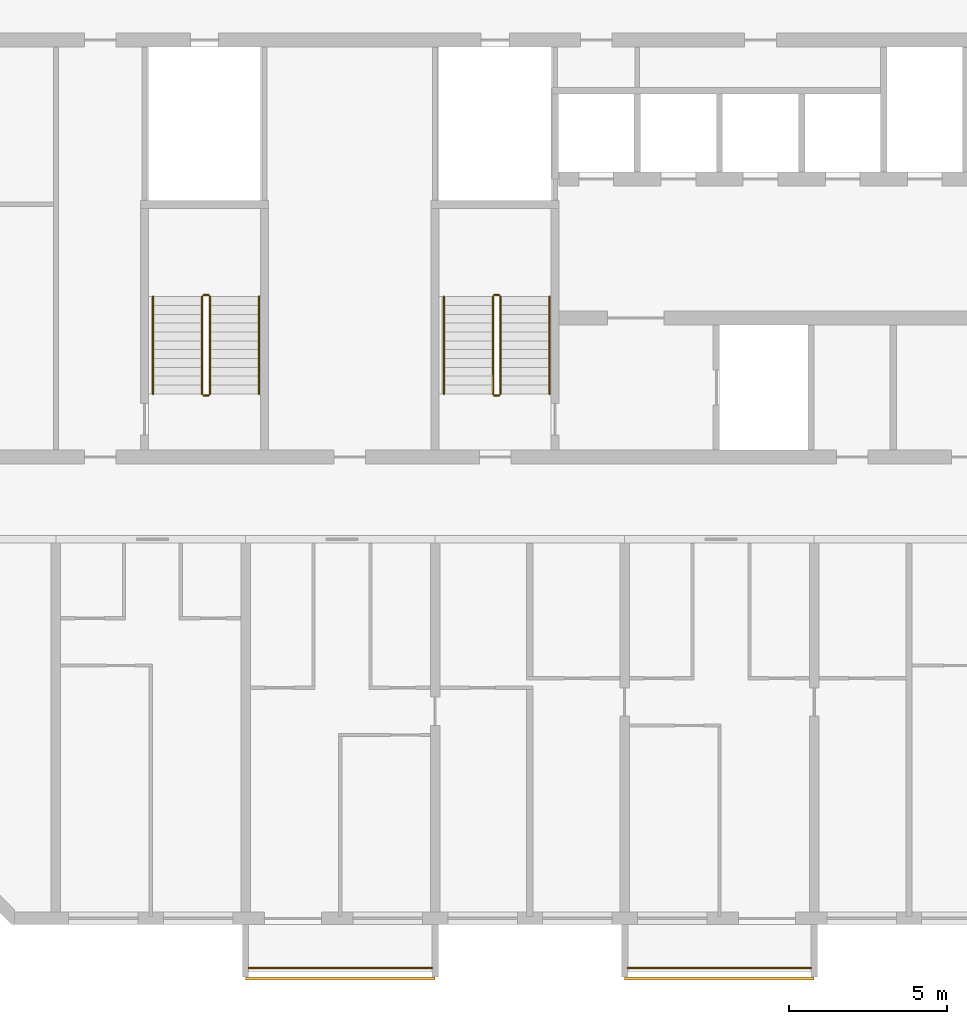
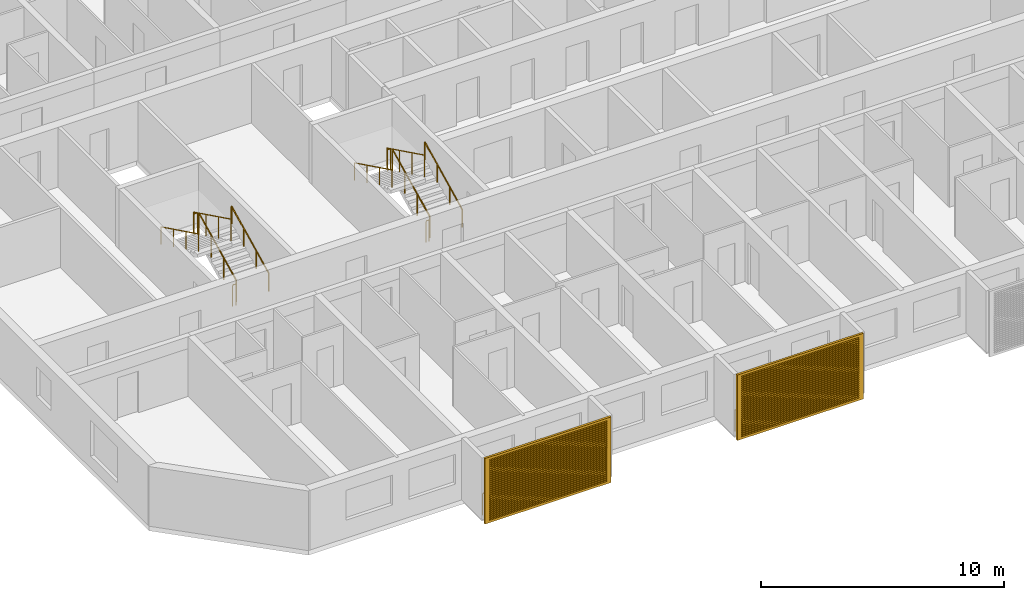
# One storey, part 14 of 32: 14 railings, 2 shading devices.
"""IFC4 building model written with IfcOpenShell, lengths in metres."""

from ifc_helpers import new_model, si_unit, direction, frame, origin, origin_2d, place, context, subcontext, project, spatial, polyline, circle, outline, extrude, source, transform, mapped, material, material_profile, profile_set, type_object, element, save


model = new_model("IFC4")

# Units and contexts
model_context = context("Model", 3, precision=1e-05, world=origin(), true_north=direction((0.0, 1.0)))
body_context = subcontext(model_context, "Body", "Model", "MODEL_VIEW")
ifc_project = project(units=[si_unit("LENGTHUNIT", "METRE"), si_unit("AREAUNIT", "SQUARE_METRE"), si_unit("VOLUMEUNIT", "CUBIC_METRE"), si_unit("PLANEANGLEUNIT", "RADIAN"), si_unit("MASSUNIT", "GRAM", prefix="KILO")], contexts=[model_context])

# Site, building, storey
site_placement = place(None, origin())
site = spatial("IfcSite", under=ifc_project, at=site_placement, CompositionType="ELEMENT")
building_placement = place(site_placement, origin())
building = spatial("IfcBuilding", under=site, at=building_placement, Name="Poui Terraces", CompositionType="ELEMENT")
storey_placement = place(building_placement, frame((0.0, 0.0, 155.39990234375)))
storey = spatial("IfcBuildingStorey", under=building, at=storey_placement, Name="L43", CompositionType="ELEMENT", Elevation=155.39990234375)

# Railings
ifc_material_1 = material(Name="Painted steel fretwork", Category="steel")
railing_type_1 = type_object("IfcRailingType", Name="BALCONY GUARD 1100", PredefinedType="GUARDRAIL", material=ifc_material_1)
for number, where, name in (
    (1, (24.10009765625, -1.570068359375, 0.0), "BALCONY GUARD"),
    (2, (36.10009765625, -1.570068359375, 0.0), "BALCONY GUARD"),
):
    element("IfcRailing", number, at=place(storey_placement, frame(where)), inside=storey, type_object=railing_type_1, Name=name, PredefinedType="GUARDRAIL", context=body_context, shape_type="SweptSolid", body=[
        extrude(circle(Radius=0.02392578125, at=origin_2d()), frame((0.0, 0.0, 1.076171875), z_axis=(1.0, 0.0, 0.0), x_axis=(0.0, 1.0, 0.0)), (0.0, 0.0, 1.0), 5.7998046875),
        extrude(circle(Radius=0.02099609375, at=origin_2d()), origin(), (0.0, 0.0, 1.0), 1.052001953125),
        extrude(circle(Radius=0.02099609375, at=origin_2d()), frame((0.966552734375, 0.0, 0.0)), (0.0, 0.0, 1.0), 1.052001953125),
        extrude(circle(Radius=0.02099609375, at=origin_2d()), frame((1.933349609375, 0.0, 0.0)), (0.0, 0.0, 1.0), 1.052001953125),
        extrude(circle(Radius=0.02099609375, at=origin_2d()), frame((2.89990234375, 0.0, 0.0)), (0.0, 0.0, 1.0), 1.052001953125),
        extrude(circle(Radius=0.02099609375, at=origin_2d()), frame((3.866455078125, 0.0, 0.0)), (0.0, 0.0, 1.0), 1.052001953125),
        extrude(circle(Radius=0.02099609375, at=origin_2d()), frame((4.833251953125, 0.0, 0.0)), (0.0, 0.0, 1.0), 1.052001953125),
        extrude(circle(Radius=0.02099609375, at=origin_2d()), frame((5.7998046875, 0.0, 0.0)), (0.0, 0.0, 1.0), 1.052001953125),
    ])
ifc_material_2 = material(Name="Galvanised steel balustrade", Category="steel")
railing_type_2 = type_object("IfcRailingType", Name="STAIR GUARD 1100", PredefinedType="GUARDRAIL", material=ifc_material_2)
railing_1_placement = place(storey_placement, frame((32.074951171875, 16.60009765625, 0.1376953125)))
element("IfcRailing", 3, at=railing_1_placement, inside=storey, type_object=railing_type_2, Name="L43 ST-CW stair guard 1", PredefinedType="GUARDRAIL", context=body_context, shape_type="SweptSolid", body=[
    extrude(circle(Radius=0.02392578125, at=origin_2d()), frame((0.0, 0.0, 1.076171875), z_axis=(0.0, 0.897606190399, 0.440798283751), x_axis=(-1.0, 0.0, 0.0)), (0.0, 0.0, 1.0), 3.43115234375),
    extrude(circle(Radius=0.02099609375, at=origin_2d()), origin(), (0.0, 0.0, 1.0), 1.052001953125),
    extrude(circle(Radius=0.02099609375, at=origin_2d()), frame((0.0, 1.026611328125, 0.504150390625)), (0.0, 0.0, 1.0), 1.052001953125),
    extrude(circle(Radius=0.02099609375, at=origin_2d()), frame((0.0, 2.05322265625, 1.00830078125)), (0.0, 0.0, 1.0), 1.052001953125),
    extrude(circle(Radius=0.02099609375, at=origin_2d()), frame((0.0, 3.079833984375, 1.512451171875)), (0.0, 0.0, 1.0), 1.052001953125),
])
railing_2_placement = place(storey_placement, frame((32.02490234375, 19.72998046875, 1.650146484375)))
element("IfcRailing", 4, at=railing_2_placement, inside=storey, type_object=railing_type_2, Name="L43 ST-CW stair guard 2", PredefinedType="GUARDRAIL", context=body_context, shape_type="SweptSolid", body=[
    extrude(circle(Radius=0.02392578125, at=origin_2d()), frame((0.0, 0.0, 1.076171875), z_axis=(-1.0, 0.0, 0.0), x_axis=(0.0, -1.0, 0.0)), (0.0, 0.0, 1.0), 0.14990234375),
    extrude(circle(Radius=0.02099609375, at=origin_2d()), origin(), (0.0, 0.0, 1.0), 1.052001953125),
    extrude(circle(Radius=0.02099609375, at=origin_2d()), frame((-0.14990234375, 0.0, 0.0)), (0.0, 0.0, 1.0), 1.052001953125),
])
railing_3_placement = place(storey_placement, frame((31.824951171875, 19.679931640625, 1.78759765625)))
element("IfcRailing", 5, at=railing_3_placement, inside=storey, type_object=railing_type_2, Name="L43 ST-CW stair guard 3", PredefinedType="GUARDRAIL", context=body_context, shape_type="SweptSolid", body=[
    extrude(circle(Radius=0.02392578125, at=origin_2d()), frame((0.0, 0.0, 1.076171875), z_axis=(0.0, -0.897606190399, 0.440798283751), x_axis=(1.0, 0.0, 0.0)), (0.0, 0.0, 1.0), 3.43115234375),
    extrude(circle(Radius=0.02099609375, at=origin_2d()), origin(), (0.0, 0.0, 1.0), 1.052001953125),
    extrude(circle(Radius=0.02099609375, at=origin_2d()), frame((0.0, -1.026611328125, 0.504150390625)), (0.0, 0.0, 1.0), 1.052001953125),
    extrude(circle(Radius=0.02099609375, at=origin_2d()), frame((0.0, -2.05322265625, 1.00830078125)), (0.0, 0.0, 1.0), 1.052001953125),
    extrude(circle(Radius=0.02099609375, at=origin_2d()), frame((0.0, -3.079833984375, 1.512451171875)), (0.0, 0.0, 1.0), 1.052001953125),
])
railing_4_placement = place(storey_placement, frame((32.02490234375, 16.550048828125, 0.0)))
element("IfcRailing", 6, at=railing_4_placement, inside=storey, type_object=railing_type_2, Name="L43 ST-CW stair guard 4", PredefinedType="GUARDRAIL", context=body_context, shape_type="SweptSolid", body=[
    extrude(circle(Radius=0.02392578125, at=origin_2d()), frame((0.0, 0.0, 1.076171875), z_axis=(-1.0, 0.0, 0.0), x_axis=(0.0, -1.0, 0.0)), (0.0, 0.0, 1.0), 0.14990234375),
    extrude(circle(Radius=0.02099609375, at=origin_2d()), origin(), (0.0, 0.0, 1.0), 1.052001953125),
    extrude(circle(Radius=0.02099609375, at=origin_2d()), frame((-0.14990234375, 0.0, 0.0)), (0.0, 0.0, 1.0), 1.052001953125),
])
railing_5_placement = place(storey_placement, frame((22.875, 16.60009765625, 0.1376953125)))
element("IfcRailing", 7, at=railing_5_placement, inside=storey, type_object=railing_type_2, Name="L43 ST-W stair guard 1", PredefinedType="GUARDRAIL", context=body_context, shape_type="SweptSolid", body=[
    extrude(circle(Radius=0.02392578125, at=origin_2d()), frame((0.0, 0.0, 1.076171875), z_axis=(0.0, 0.897606190399, 0.440798283751), x_axis=(-1.0, 0.0, 0.0)), (0.0, 0.0, 1.0), 3.43115234375),
    extrude(circle(Radius=0.02099609375, at=origin_2d()), origin(), (0.0, 0.0, 1.0), 1.052001953125),
    extrude(circle(Radius=0.02099609375, at=origin_2d()), frame((0.0, 1.026611328125, 0.504150390625)), (0.0, 0.0, 1.0), 1.052001953125),
    extrude(circle(Radius=0.02099609375, at=origin_2d()), frame((0.0, 2.05322265625, 1.00830078125)), (0.0, 0.0, 1.0), 1.052001953125),
    extrude(circle(Radius=0.02099609375, at=origin_2d()), frame((0.0, 3.079833984375, 1.512451171875)), (0.0, 0.0, 1.0), 1.052001953125),
])
railing_6_placement = place(storey_placement, frame((22.824951171875, 19.72998046875, 1.650146484375)))
element("IfcRailing", 8, at=railing_6_placement, inside=storey, type_object=railing_type_2, Name="L43 ST-W stair guard 2", PredefinedType="GUARDRAIL", context=body_context, shape_type="SweptSolid", body=[
    extrude(circle(Radius=0.02392578125, at=origin_2d()), frame((0.0, 0.0, 1.076171875), z_axis=(-1.0, 0.0, 0.0), x_axis=(0.0, -1.0, 0.0)), (0.0, 0.0, 1.0), 0.14990234375),
    extrude(circle(Radius=0.02099609375, at=origin_2d()), origin(), (0.0, 0.0, 1.0), 1.052001953125),
    extrude(circle(Radius=0.02099609375, at=origin_2d()), frame((-0.14990234375, 0.0, 0.0)), (0.0, 0.0, 1.0), 1.052001953125),
])
railing_7_placement = place(storey_placement, frame((22.625, 19.679931640625, 1.78759765625)))
element("IfcRailing", 9, at=railing_7_placement, inside=storey, type_object=railing_type_2, Name="L43 ST-W stair guard 3", PredefinedType="GUARDRAIL", context=body_context, shape_type="SweptSolid", body=[
    extrude(circle(Radius=0.02392578125, at=origin_2d()), frame((0.0, 0.0, 1.076171875), z_axis=(0.0, -0.897606190399, 0.440798283751), x_axis=(1.0, 0.0, 0.0)), (0.0, 0.0, 1.0), 3.43115234375),
    extrude(circle(Radius=0.02099609375, at=origin_2d()), origin(), (0.0, 0.0, 1.0), 1.052001953125),
    extrude(circle(Radius=0.02099609375, at=origin_2d()), frame((0.0, -1.026611328125, 0.504150390625)), (0.0, 0.0, 1.0), 1.052001953125),
    extrude(circle(Radius=0.02099609375, at=origin_2d()), frame((0.0, -2.05322265625, 1.00830078125)), (0.0, 0.0, 1.0), 1.052001953125),
    extrude(circle(Radius=0.02099609375, at=origin_2d()), frame((0.0, -3.079833984375, 1.512451171875)), (0.0, 0.0, 1.0), 1.052001953125),
])
railing_8_placement = place(storey_placement, frame((22.824951171875, 16.550048828125, 0.0)))
element("IfcRailing", 10, at=railing_8_placement, inside=storey, type_object=railing_type_2, Name="L43 ST-W stair guard 4", PredefinedType="GUARDRAIL", context=body_context, shape_type="SweptSolid", body=[
    extrude(circle(Radius=0.02392578125, at=origin_2d()), frame((0.0, 0.0, 1.076171875), z_axis=(-1.0, 0.0, 0.0), x_axis=(0.0, -1.0, 0.0)), (0.0, 0.0, 1.0), 0.14990234375),
    extrude(circle(Radius=0.02099609375, at=origin_2d()), origin(), (0.0, 0.0, 1.0), 1.052001953125),
    extrude(circle(Radius=0.02099609375, at=origin_2d()), frame((-0.14990234375, 0.0, 0.0)), (0.0, 0.0, 1.0), 1.052001953125),
])
ifc_material_3 = material(Name="Stainless steel handrail", Category="steel")
railing_type_3 = type_object("IfcRailingType", Name="STAIR HANDRAIL 900", PredefinedType="HANDRAIL", material=ifc_material_3)
railing_9_placement = place(storey_placement, frame((33.625, 16.60009765625, 0.1376953125)))
element("IfcRailing", 11, at=railing_9_placement, inside=storey, type_object=railing_type_3, Name="L43 ST-CW stair handrail 1", PredefinedType="HANDRAIL", context=body_context, shape_type="SweptSolid", body=[
    extrude(circle(Radius=0.02392578125, at=origin_2d()), frame((0.0, 0.0, 0.8759765625), z_axis=(0.0, 0.897606190399, 0.440798283751), x_axis=(-1.0, 0.0, 0.0)), (0.0, 0.0, 1.0), 3.43115234375),
    extrude(circle(Radius=0.02099609375, at=origin_2d()), origin(), (0.0, 0.0, 1.0), 0.851806640625),
    extrude(circle(Radius=0.02099609375, at=origin_2d()), frame((0.0, 1.026611328125, 0.504150390625)), (0.0, 0.0, 1.0), 0.851806640625),
    extrude(circle(Radius=0.02099609375, at=origin_2d()), frame((0.0, 2.05322265625, 1.00830078125)), (0.0, 0.0, 1.0), 0.851806640625),
    extrude(circle(Radius=0.02099609375, at=origin_2d()), frame((0.0, 3.079833984375, 1.512451171875)), (0.0, 0.0, 1.0), 0.851806640625),
])
railing_10_placement = place(storey_placement, frame((30.27490234375, 19.679931640625, 1.78759765625)))
element("IfcRailing", 12, at=railing_10_placement, inside=storey, type_object=railing_type_3, Name="L43 ST-CW stair handrail 2", PredefinedType="HANDRAIL", context=body_context, shape_type="SweptSolid", body=[
    extrude(circle(Radius=0.02392578125, at=origin_2d()), frame((0.0, 0.0, 0.8759765625), z_axis=(0.0, -0.897606190399, 0.440798283751), x_axis=(1.0, 0.0, 0.0)), (0.0, 0.0, 1.0), 3.43115234375),
    extrude(circle(Radius=0.02099609375, at=origin_2d()), origin(), (0.0, 0.0, 1.0), 0.851806640625),
    extrude(circle(Radius=0.02099609375, at=origin_2d()), frame((0.0, -1.026611328125, 0.504150390625)), (0.0, 0.0, 1.0), 0.851806640625),
    extrude(circle(Radius=0.02099609375, at=origin_2d()), frame((0.0, -2.05322265625, 1.00830078125)), (0.0, 0.0, 1.0), 0.851806640625),
    extrude(circle(Radius=0.02099609375, at=origin_2d()), frame((0.0, -3.079833984375, 1.512451171875)), (0.0, 0.0, 1.0), 0.851806640625),
])
railing_11_placement = place(storey_placement, frame((24.425048828125, 16.60009765625, 0.1376953125)))
element("IfcRailing", 13, at=railing_11_placement, inside=storey, type_object=railing_type_3, Name="L43 ST-W stair handrail 1", PredefinedType="HANDRAIL", context=body_context, shape_type="SweptSolid", body=[
    extrude(circle(Radius=0.02392578125, at=origin_2d()), frame((0.0, 0.0, 0.8759765625), z_axis=(0.0, 0.897606190399, 0.440798283751), x_axis=(-1.0, 0.0, 0.0)), (0.0, 0.0, 1.0), 3.43115234375),
    extrude(circle(Radius=0.02099609375, at=origin_2d()), origin(), (0.0, 0.0, 1.0), 0.851806640625),
    extrude(circle(Radius=0.02099609375, at=origin_2d()), frame((0.0, 1.026611328125, 0.504150390625)), (0.0, 0.0, 1.0), 0.851806640625),
    extrude(circle(Radius=0.02099609375, at=origin_2d()), frame((0.0, 2.05322265625, 1.00830078125)), (0.0, 0.0, 1.0), 0.851806640625),
    extrude(circle(Radius=0.02099609375, at=origin_2d()), frame((0.0, 3.079833984375, 1.512451171875)), (0.0, 0.0, 1.0), 0.851806640625),
])
railing_12_placement = place(storey_placement, frame((21.074951171875, 19.679931640625, 1.78759765625)))
element("IfcRailing", 14, at=railing_12_placement, inside=storey, type_object=railing_type_3, Name="L43 ST-W stair handrail 2", PredefinedType="HANDRAIL", context=body_context, shape_type="SweptSolid", body=[
    extrude(circle(Radius=0.02392578125, at=origin_2d()), frame((0.0, 0.0, 0.8759765625), z_axis=(0.0, -0.897606190399, 0.440798283751), x_axis=(1.0, 0.0, 0.0)), (0.0, 0.0, 1.0), 3.43115234375),
    extrude(circle(Radius=0.02099609375, at=origin_2d()), origin(), (0.0, 0.0, 1.0), 0.851806640625),
    extrude(circle(Radius=0.02099609375, at=origin_2d()), frame((0.0, -1.026611328125, 0.504150390625)), (0.0, 0.0, 1.0), 0.851806640625),
    extrude(circle(Radius=0.02099609375, at=origin_2d()), frame((0.0, -2.05322265625, 1.00830078125)), (0.0, 0.0, 1.0), 0.851806640625),
    extrude(circle(Radius=0.02099609375, at=origin_2d()), frame((0.0, -3.079833984375, 1.512451171875)), (0.0, 0.0, 1.0), 0.851806640625),
])

# Shading devices
ifc_material_4 = material(Name="Aluminium louvre", Category="aluminium")
ifc_material_profile = material_profile(ifc_material_4, outline(polyline([(-3.0, -1.64990234375), (3.0, -1.64990234375), (3.0, 1.64990234375), (-3.0, 1.64990234375), (-3.0, -1.64990234375)]), holes=[polyline([(-2.800048828125, -1.530029296875), (2.800048828125, -1.530029296875), (2.800048828125, -1.469970703125), (-2.800048828125, -1.469970703125), (-2.800048828125, -1.530029296875)]), polyline([(-2.800048828125, -1.429931640625), (2.800048828125, -1.429931640625), (2.800048828125, -1.3701171875), (-2.800048828125, -1.3701171875), (-2.800048828125, -1.429931640625)]), polyline([(-2.800048828125, -1.330078125), (2.800048828125, -1.330078125), (2.800048828125, -1.27001953125), (-2.800048828125, -1.27001953125), (-2.800048828125, -1.330078125)]), polyline([(-2.800048828125, -1.22998046875), (2.800048828125, -1.22998046875), (2.800048828125, -1.169921875), (-2.800048828125, -1.169921875), (-2.800048828125, -1.22998046875)]), polyline([(-2.800048828125, -1.1298828125), (2.800048828125, -1.1298828125), (2.800048828125, -1.070068359375), (-2.800048828125, -1.070068359375), (-2.800048828125, -1.1298828125)]), polyline([(-2.800048828125, -1.030029296875), (2.800048828125, -1.030029296875), (2.800048828125, -0.969970703125), (-2.800048828125, -0.969970703125), (-2.800048828125, -1.030029296875)]), polyline([(-2.800048828125, -0.929931640625), (2.800048828125, -0.929931640625), (2.800048828125, -0.8701171875), (-2.800048828125, -0.8701171875), (-2.800048828125, -0.929931640625)]), polyline([(-2.800048828125, -0.830078125), (2.800048828125, -0.830078125), (2.800048828125, -0.77001953125), (-2.800048828125, -0.77001953125), (-2.800048828125, -0.830078125)]), polyline([(-2.800048828125, -0.72998046875), (2.800048828125, -0.72998046875), (2.800048828125, -0.669921875), (-2.800048828125, -0.669921875), (-2.800048828125, -0.72998046875)]), polyline([(-2.800048828125, -0.6298828125), (2.800048828125, -0.6298828125), (2.800048828125, -0.570068359375), (-2.800048828125, -0.570068359375), (-2.800048828125, -0.6298828125)]), polyline([(-2.800048828125, -0.530029296875), (2.800048828125, -0.530029296875), (2.800048828125, -0.469970703125), (-2.800048828125, -0.469970703125), (-2.800048828125, -0.530029296875)]), polyline([(-2.800048828125, -0.429931640625), (2.800048828125, -0.429931640625), (2.800048828125, -0.3701171875), (-2.800048828125, -0.3701171875), (-2.800048828125, -0.429931640625)]), polyline([(-2.800048828125, -0.330078125), (2.800048828125, -0.330078125), (2.800048828125, -0.27001953125), (-2.800048828125, -0.27001953125), (-2.800048828125, -0.330078125)]), polyline([(-2.800048828125, -0.22998046875), (2.800048828125, -0.22998046875), (2.800048828125, -0.169921875), (-2.800048828125, -0.169921875), (-2.800048828125, -0.22998046875)]), polyline([(-2.800048828125, -0.1298828125), (2.800048828125, -0.1298828125), (2.800048828125, -0.070068359375), (-2.800048828125, -0.070068359375), (-2.800048828125, -0.1298828125)]), polyline([(-2.800048828125, -0.030029296875), (2.800048828125, -0.030029296875), (2.800048828125, 0.030029296875), (-2.800048828125, 0.030029296875), (-2.800048828125, -0.030029296875)]), polyline([(-2.800048828125, 0.070068359375), (2.800048828125, 0.070068359375), (2.800048828125, 0.1298828125), (-2.800048828125, 0.1298828125), (-2.800048828125, 0.070068359375)]), polyline([(-2.800048828125, 0.169921875), (2.800048828125, 0.169921875), (2.800048828125, 0.22998046875), (-2.800048828125, 0.22998046875), (-2.800048828125, 0.169921875)]), polyline([(-2.800048828125, 0.27001953125), (2.800048828125, 0.27001953125), (2.800048828125, 0.330078125), (-2.800048828125, 0.330078125), (-2.800048828125, 0.27001953125)]), polyline([(-2.800048828125, 0.3701171875), (2.800048828125, 0.3701171875), (2.800048828125, 0.429931640625), (-2.800048828125, 0.429931640625), (-2.800048828125, 0.3701171875)]), polyline([(-2.800048828125, 0.469970703125), (2.800048828125, 0.469970703125), (2.800048828125, 0.530029296875), (-2.800048828125, 0.530029296875), (-2.800048828125, 0.469970703125)]), polyline([(-2.800048828125, 0.570068359375), (2.800048828125, 0.570068359375), (2.800048828125, 0.6298828125), (-2.800048828125, 0.6298828125), (-2.800048828125, 0.570068359375)]), polyline([(-2.800048828125, 0.669921875), (2.800048828125, 0.669921875), (2.800048828125, 0.72998046875), (-2.800048828125, 0.72998046875), (-2.800048828125, 0.669921875)]), polyline([(-2.800048828125, 0.77001953125), (2.800048828125, 0.77001953125), (2.800048828125, 0.830078125), (-2.800048828125, 0.830078125), (-2.800048828125, 0.77001953125)]), polyline([(-2.800048828125, 0.8701171875), (2.800048828125, 0.8701171875), (2.800048828125, 0.929931640625), (-2.800048828125, 0.929931640625), (-2.800048828125, 0.8701171875)]), polyline([(-2.800048828125, 0.969970703125), (2.800048828125, 0.969970703125), (2.800048828125, 1.030029296875), (-2.800048828125, 1.030029296875), (-2.800048828125, 0.969970703125)]), polyline([(-2.800048828125, 1.070068359375), (2.800048828125, 1.070068359375), (2.800048828125, 1.1298828125), (-2.800048828125, 1.1298828125), (-2.800048828125, 1.070068359375)]), polyline([(-2.800048828125, 1.169921875), (2.800048828125, 1.169921875), (2.800048828125, 1.22998046875), (-2.800048828125, 1.22998046875), (-2.800048828125, 1.169921875)]), polyline([(-2.800048828125, 1.27001953125), (2.800048828125, 1.27001953125), (2.800048828125, 1.330078125), (-2.800048828125, 1.330078125), (-2.800048828125, 1.27001953125)]), polyline([(-2.800048828125, 1.3701171875), (2.800048828125, 1.3701171875), (2.800048828125, 1.429931640625), (-2.800048828125, 1.429931640625), (-2.800048828125, 1.3701171875)]), polyline([(-2.800048828125, 1.469970703125), (2.800048828125, 1.469970703125), (2.800048828125, 1.530029296875), (-2.800048828125, 1.530029296875), (-2.800048828125, 1.469970703125)])]), Name="JALOUSIE LOUVRE SHUTTER 6000X3300")
ifc_profile_set = profile_set([ifc_material_profile], Name="Aluminium louvre")
shading_device_type = type_object("IfcShadingDeviceType", Name="JALOUSIE LOUVRE SHUTTER 6000X3300", PredefinedType="JALOUSIE", material=ifc_profile_set)
shared_shape = source(origin(), body_context, "Body", "SweptSolid", [
    extrude(outline(polyline([(-3.0, -1.64990234375), (3.0, -1.64990234375), (3.0, 1.64990234375), (-3.0, 1.64990234375), (-3.0, -1.64990234375)]), holes=[polyline([(-2.800048828125, -1.530029296875), (2.800048828125, -1.530029296875), (2.800048828125, -1.469970703125), (-2.800048828125, -1.469970703125), (-2.800048828125, -1.530029296875)]), polyline([(-2.800048828125, -1.429931640625), (2.800048828125, -1.429931640625), (2.800048828125, -1.3701171875), (-2.800048828125, -1.3701171875), (-2.800048828125, -1.429931640625)]), polyline([(-2.800048828125, -1.330078125), (2.800048828125, -1.330078125), (2.800048828125, -1.27001953125), (-2.800048828125, -1.27001953125), (-2.800048828125, -1.330078125)]), polyline([(-2.800048828125, -1.22998046875), (2.800048828125, -1.22998046875), (2.800048828125, -1.169921875), (-2.800048828125, -1.169921875), (-2.800048828125, -1.22998046875)]), polyline([(-2.800048828125, -1.1298828125), (2.800048828125, -1.1298828125), (2.800048828125, -1.070068359375), (-2.800048828125, -1.070068359375), (-2.800048828125, -1.1298828125)]), polyline([(-2.800048828125, -1.030029296875), (2.800048828125, -1.030029296875), (2.800048828125, -0.969970703125), (-2.800048828125, -0.969970703125), (-2.800048828125, -1.030029296875)]), polyline([(-2.800048828125, -0.929931640625), (2.800048828125, -0.929931640625), (2.800048828125, -0.8701171875), (-2.800048828125, -0.8701171875), (-2.800048828125, -0.929931640625)]), polyline([(-2.800048828125, -0.830078125), (2.800048828125, -0.830078125), (2.800048828125, -0.77001953125), (-2.800048828125, -0.77001953125), (-2.800048828125, -0.830078125)]), polyline([(-2.800048828125, -0.72998046875), (2.800048828125, -0.72998046875), (2.800048828125, -0.669921875), (-2.800048828125, -0.669921875), (-2.800048828125, -0.72998046875)]), polyline([(-2.800048828125, -0.6298828125), (2.800048828125, -0.6298828125), (2.800048828125, -0.570068359375), (-2.800048828125, -0.570068359375), (-2.800048828125, -0.6298828125)]), polyline([(-2.800048828125, -0.530029296875), (2.800048828125, -0.530029296875), (2.800048828125, -0.469970703125), (-2.800048828125, -0.469970703125), (-2.800048828125, -0.530029296875)]), polyline([(-2.800048828125, -0.429931640625), (2.800048828125, -0.429931640625), (2.800048828125, -0.3701171875), (-2.800048828125, -0.3701171875), (-2.800048828125, -0.429931640625)]), polyline([(-2.800048828125, -0.330078125), (2.800048828125, -0.330078125), (2.800048828125, -0.27001953125), (-2.800048828125, -0.27001953125), (-2.800048828125, -0.330078125)]), polyline([(-2.800048828125, -0.22998046875), (2.800048828125, -0.22998046875), (2.800048828125, -0.169921875), (-2.800048828125, -0.169921875), (-2.800048828125, -0.22998046875)]), polyline([(-2.800048828125, -0.1298828125), (2.800048828125, -0.1298828125), (2.800048828125, -0.070068359375), (-2.800048828125, -0.070068359375), (-2.800048828125, -0.1298828125)]), polyline([(-2.800048828125, -0.030029296875), (2.800048828125, -0.030029296875), (2.800048828125, 0.030029296875), (-2.800048828125, 0.030029296875), (-2.800048828125, -0.030029296875)]), polyline([(-2.800048828125, 0.070068359375), (2.800048828125, 0.070068359375), (2.800048828125, 0.1298828125), (-2.800048828125, 0.1298828125), (-2.800048828125, 0.070068359375)]), polyline([(-2.800048828125, 0.169921875), (2.800048828125, 0.169921875), (2.800048828125, 0.22998046875), (-2.800048828125, 0.22998046875), (-2.800048828125, 0.169921875)]), polyline([(-2.800048828125, 0.27001953125), (2.800048828125, 0.27001953125), (2.800048828125, 0.330078125), (-2.800048828125, 0.330078125), (-2.800048828125, 0.27001953125)]), polyline([(-2.800048828125, 0.3701171875), (2.800048828125, 0.3701171875), (2.800048828125, 0.429931640625), (-2.800048828125, 0.429931640625), (-2.800048828125, 0.3701171875)]), polyline([(-2.800048828125, 0.469970703125), (2.800048828125, 0.469970703125), (2.800048828125, 0.530029296875), (-2.800048828125, 0.530029296875), (-2.800048828125, 0.469970703125)]), polyline([(-2.800048828125, 0.570068359375), (2.800048828125, 0.570068359375), (2.800048828125, 0.6298828125), (-2.800048828125, 0.6298828125), (-2.800048828125, 0.570068359375)]), polyline([(-2.800048828125, 0.669921875), (2.800048828125, 0.669921875), (2.800048828125, 0.72998046875), (-2.800048828125, 0.72998046875), (-2.800048828125, 0.669921875)]), polyline([(-2.800048828125, 0.77001953125), (2.800048828125, 0.77001953125), (2.800048828125, 0.830078125), (-2.800048828125, 0.830078125), (-2.800048828125, 0.77001953125)]), polyline([(-2.800048828125, 0.8701171875), (2.800048828125, 0.8701171875), (2.800048828125, 0.929931640625), (-2.800048828125, 0.929931640625), (-2.800048828125, 0.8701171875)]), polyline([(-2.800048828125, 0.969970703125), (2.800048828125, 0.969970703125), (2.800048828125, 1.030029296875), (-2.800048828125, 1.030029296875), (-2.800048828125, 0.969970703125)]), polyline([(-2.800048828125, 1.070068359375), (2.800048828125, 1.070068359375), (2.800048828125, 1.1298828125), (-2.800048828125, 1.1298828125), (-2.800048828125, 1.070068359375)]), polyline([(-2.800048828125, 1.169921875), (2.800048828125, 1.169921875), (2.800048828125, 1.22998046875), (-2.800048828125, 1.22998046875), (-2.800048828125, 1.169921875)]), polyline([(-2.800048828125, 1.27001953125), (2.800048828125, 1.27001953125), (2.800048828125, 1.330078125), (-2.800048828125, 1.330078125), (-2.800048828125, 1.27001953125)]), polyline([(-2.800048828125, 1.3701171875), (2.800048828125, 1.3701171875), (2.800048828125, 1.429931640625), (-2.800048828125, 1.429931640625), (-2.800048828125, 1.3701171875)]), polyline([(-2.800048828125, 1.469970703125), (2.800048828125, 1.469970703125), (2.800048828125, 1.530029296875), (-2.800048828125, 1.530029296875), (-2.800048828125, 1.469970703125)])]), origin(), (0.0, 0.0, 1.0), 0.099853515625),
])
for number, where, z_axis, x_axis, name in (
    (15, (27.0, -1.85009765625, 1.4501953125), (0.0, -1.0, 0.0), (1.0, 0.0, 0.0), "JALOUSIE LOUVRE SHUTTER"),
    (16, (39.0, -1.85009765625, 1.4501953125), (0.0, -1.0, 0.0), (1.0, 0.0, 0.0), "JALOUSIE LOUVRE SHUTTER"),
):
    element("IfcShadingDevice", number, at=place(storey_placement, frame(where, z_axis=z_axis, x_axis=x_axis)), inside=storey, type_object=shading_device_type, Name=name, PredefinedType="JALOUSIE", context=body_context, shape_type="MappedRepresentation", body=[
        mapped(shared_shape, transform((0.0, 0.0, 0.0))),
    ])

save(model, "model.ifc")
